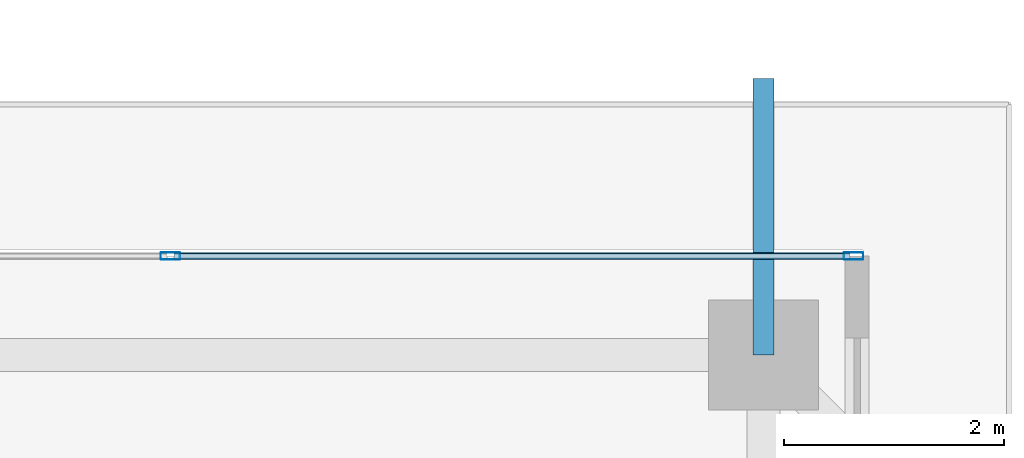
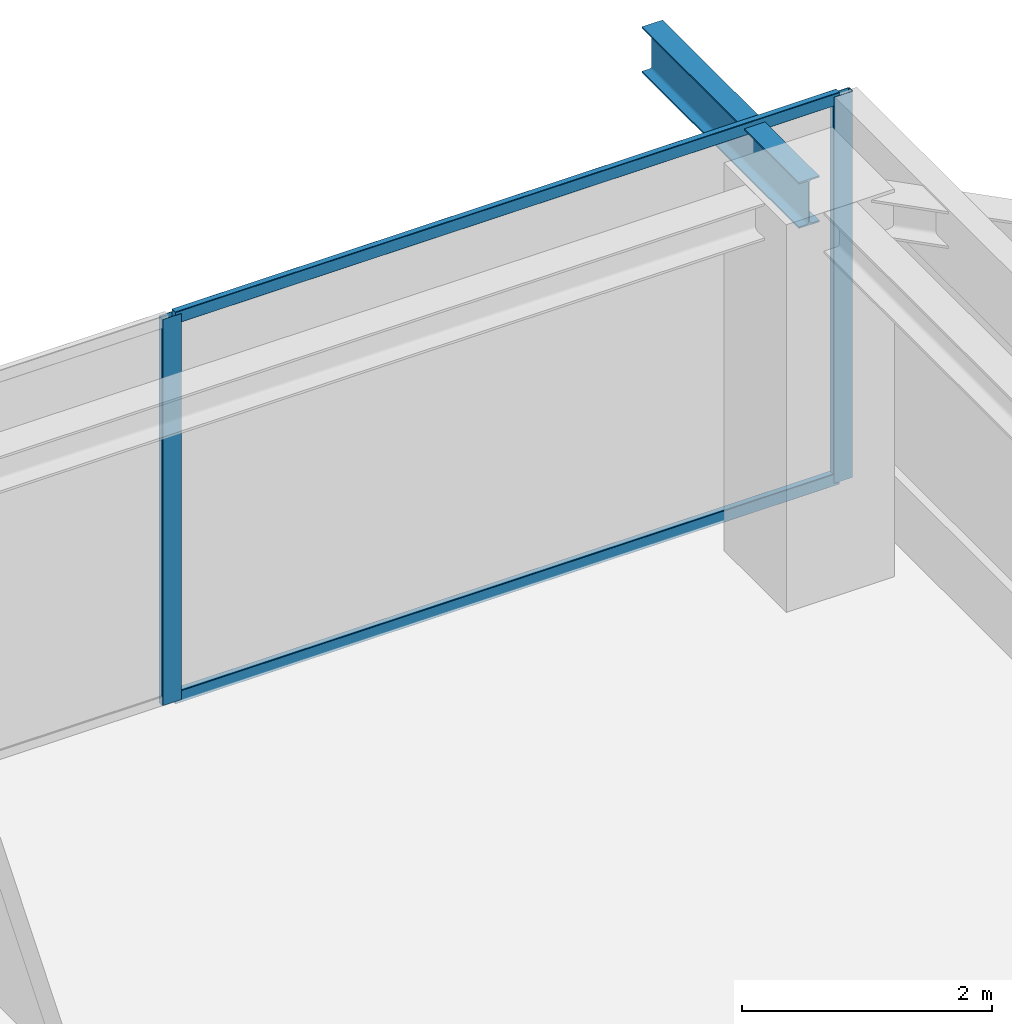
# One storey, part 29 of 42: 4 members, 1 beam, 1 element without a shape of its own.
"""IFC4 building model written with IfcOpenShell, lengths in metres."""

from ifc_helpers import new_model, si_unit, direction, frame, origin, origin_2d, place, context, subcontext, project, spatial, hollow_rectangle, i_section, extrude, source, transform, mapped, material, layer, layer_set, material_profile, profile_set, type_object, element, aggregate, save


model = new_model("IFC4")

# Units and contexts
model_context = context("Model", 3, precision=1e-05, world=origin(), true_north=direction((0.0, 1.0)))
body_context = subcontext(model_context, "Body", "Model", "MODEL_VIEW")
ifc_project = project(units=[si_unit("LENGTHUNIT", "METRE"), si_unit("AREAUNIT", "SQUARE_METRE"), si_unit("VOLUMEUNIT", "CUBIC_METRE"), si_unit("PLANEANGLEUNIT", "RADIAN"), si_unit("MASSUNIT", "GRAM", prefix="KILO")], contexts=[model_context])

# Site, building, storey
site_placement = place(None, origin())
site = spatial("IfcSite", under=ifc_project, at=site_placement, CompositionType="ELEMENT")
building_placement = place(site_placement, origin())
building = spatial("IfcBuilding", under=site, at=building_placement, Name="Serunith Strait Residences", CompositionType="ELEMENT")
storey_placement = place(building_placement, frame((0.0, 0.0, 309.64990234375)))
storey = spatial("IfcBuildingStorey", under=building, at=storey_placement, Name="L77", CompositionType="ELEMENT", Elevation=309.64990234375)

# Beam
ifc_material_1 = material(Name="Steel S355J2", Category="steel")
ifc_material_profile_1 = material_profile(ifc_material_1, i_section(OverallWidth=0.18994140625, OverallDepth=0.449951171875, WebThickness=0.009521484375, FlangeThickness=0.0146484375, FilletRadius=0.02099609375, at=origin_2d()), Name="IPE 450")
ifc_profile_set_1 = profile_set([ifc_material_profile_1], Name="Steel S355J2")
beam_type = type_object("IfcBeamType", Name="BM-IPE450", PredefinedType="JOIST", material=ifc_profile_set_1)
shared_shape_1 = source(origin(), body_context, "Body", "SweptSolid", [
    extrude(i_section(OverallWidth=0.18994140625, OverallDepth=0.449951171875, WebThickness=0.009521484375, FlangeThickness=0.0146484375, FilletRadius=0.02099609375, at=origin_2d()), origin(), (0.0, 0.0, 1.0), 2.512939453125),
])
beam_placement = place(storey_placement, frame((47.14990234375, 47.10009765625, 3.531982421875), z_axis=(0.0, 1.0, 0.0), x_axis=(-1.0, 0.0, 0.0)))
element("IfcBeam", 1, at=beam_placement, inside=storey, type_object=beam_type, Name="L78 Cantilevered Balcony Rib TC-N4", PredefinedType="JOIST", context=body_context, shape_type="MappedRepresentation", body=[
    mapped(shared_shape_1, transform((0.0, 0.0, 0.0), scale=1.0)),
])

# Curtain wall, members
ifc_material_2 = material(Name="Brushed Stainless-Silver Aluminium", Category="aluminium")
ifc_layer = layer(ifc_material_2, 0.199951171875, Name="Brushed Stainless-Silver Aluminium")
ifc_layer_set = layer_set([ifc_layer], Name="Brushed Stainless-Silver Aluminium")
curtain_wall_type = type_object("IfcCurtainWallType", Name="CW-SYS5", PredefinedType="NOTDEFINED", material=ifc_layer_set)
curtain_wall_placement = place(storey_placement, origin())
curtain_wall = element("IfcCurtainWall", 2, at=curtain_wall_placement, inside=storey, type_object=curtain_wall_type, Name="L77 N Unitised Fritted Curtain Wall", PredefinedType="NOTDEFINED")
ifc_material_profile_2 = material_profile(ifc_material_2, hollow_rectangle(XDim=0.06494140625, YDim=0.179931640625, WallThickness=0.00341796875, InnerFilletRadius=0.00537109375, OuterFilletRadius=0.0087890625, at=origin_2d()), Name="ALU 180x65x3.5")
ifc_profile_set_2 = profile_set([ifc_material_profile_2], Name="Brushed Stainless-Silver Aluminium")
member_type_1 = type_object("IfcMemberType", Name="CW-SYS5-MULL", PredefinedType="MULLION", material=ifc_profile_set_2)
shared_shape_2 = source(origin(), body_context, "Body", "SweptSolid", [
    extrude(hollow_rectangle(XDim=0.06494140625, YDim=0.179931640625, WallThickness=0.00341796875, InnerFilletRadius=0.00537109375, OuterFilletRadius=0.0087890625, at=origin_2d()), origin(), (0.0, 0.0, 1.0), 3.775146484375),
])
member_1_placement = place(storey_placement, frame((47.967529296875, 48.0, 0.0), z_axis=(0.0, 0.0, 1.0), x_axis=(0.0, -1.0, 0.0)))
member_1 = element("IfcMember", 3, at=member_1_placement, type_object=member_type_1, Name="CW-5 mullion 1", PredefinedType="MULLION", context=body_context, shape_type="MappedRepresentation", body=[
    mapped(shared_shape_2, transform((0.0, 0.0, 0.0), scale=1.0)),
])
member_2_placement = place(storey_placement, frame((41.760009765625, 48.0, 0.0), z_axis=(0.0, 0.0, 1.0), x_axis=(0.0, -1.0, 0.0)))
member_2 = element("IfcMember", 4, at=member_2_placement, type_object=member_type_1, Name="CW-5 mullion 2", PredefinedType="MULLION", context=body_context, shape_type="MappedRepresentation", body=[
    mapped(shared_shape_2, transform((0.0, 0.0, 0.0), scale=1.0)),
])
ifc_material_profile_3 = material_profile(ifc_material_2, hollow_rectangle(XDim=0.06005859375, YDim=0.1201171875, WallThickness=0.00341796875, InnerFilletRadius=0.00537109375, OuterFilletRadius=0.0087890625, at=origin_2d()), Name="ALU 120x60x3.5")
ifc_profile_set_3 = profile_set([ifc_material_profile_3], Name="Brushed Stainless-Silver Aluminium")
member_type_2 = type_object("IfcMemberType", Name="CW-SYS5-TRAN", PredefinedType="USERDEFINED", material=ifc_profile_set_3)
shared_shape_3 = source(origin(), body_context, "Body", "SweptSolid", [
    extrude(hollow_rectangle(XDim=0.06005859375, YDim=0.1201171875, WallThickness=0.00341796875, InnerFilletRadius=0.00537109375, OuterFilletRadius=0.0087890625, at=origin_2d()), origin(), (0.0, 0.0, 1.0), 6.142578125),
])
member_3_placement = place(storey_placement, frame((47.93505859375, 48.0, 0.030029296875), z_axis=(-1.0, 0.0, 0.0), x_axis=(0.0, -1.0, 0.0)))
member_3 = element("IfcMember", 5, at=member_3_placement, type_object=member_type_2, Name="CW-5 transom 1.1", ObjectType="TRANSOM", PredefinedType="USERDEFINED", context=body_context, shape_type="MappedRepresentation", body=[
    mapped(shared_shape_3, transform((0.0, 0.0, 0.0), scale=1.0)),
])
member_4_placement = place(storey_placement, frame((47.93505859375, 48.0, 3.7451171875), z_axis=(-1.0, 0.0, 0.0), x_axis=(0.0, -1.0, 0.0)))
member_4 = element("IfcMember", 6, at=member_4_placement, type_object=member_type_2, Name="CW-5 transom 1.2", ObjectType="TRANSOM", PredefinedType="USERDEFINED", context=body_context, shape_type="MappedRepresentation", body=[
    mapped(shared_shape_3, transform((0.0, 0.0, 0.0), scale=1.0)),
])
aggregate(curtain_wall, [member_1, member_2, member_3, member_4])

save(model, "model.ifc")
